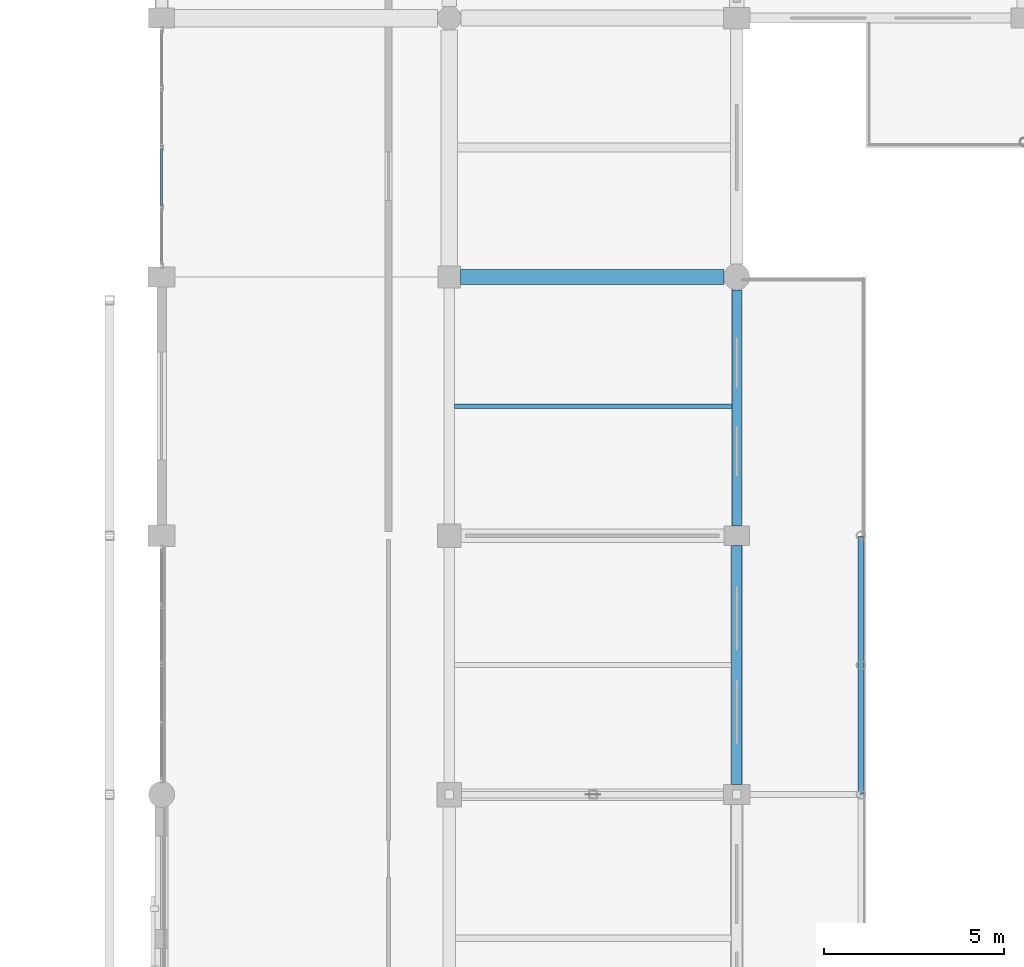
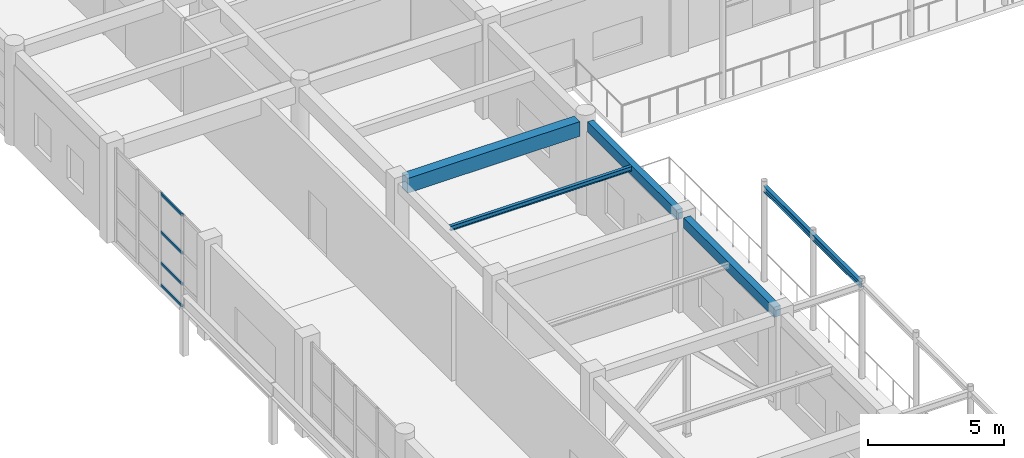
# One storey, part 70 of 160: 5 beams, 4 members, 1 element without a shape of its own.
"""IFC4 building model written with IfcOpenShell, lengths in metres."""

from ifc_helpers import new_model, si_unit, direction, frame, origin, origin_2d, place, context, subcontext, project, spatial, rectangle, hollow_rectangle, i_section, extrude, material, material_profile, profile_set, type_object, element, aggregate, save


model = new_model("IFC4")

# Units and contexts
model_context = context("Model", 3, precision=1e-05, world=origin(), true_north=direction((0.0, 1.0)))
body_context = subcontext(model_context, "Body", "Model", "MODEL_VIEW")
ifc_project = project(units=[si_unit("LENGTHUNIT", "METRE"), si_unit("AREAUNIT", "SQUARE_METRE"), si_unit("VOLUMEUNIT", "CUBIC_METRE"), si_unit("PLANEANGLEUNIT", "RADIAN"), si_unit("MASSUNIT", "GRAM", prefix="KILO")], contexts=[model_context])

# Site, building, storey
site_placement = place(None, origin())
site = spatial("IfcSite", under=ifc_project, at=site_placement, CompositionType="ELEMENT")
building_placement = place(site_placement, origin())
building = spatial("IfcBuilding", under=site, at=building_placement, Name="Kharva Crest Polytechnic", CompositionType="ELEMENT")
storey_placement = place(building_placement, frame((0.0, 0.0, 4.5)))
storey = spatial("IfcBuildingStorey", under=building, at=storey_placement, Name="L01", CompositionType="ELEMENT", Elevation=4.5)

# Beams
ifc_material_1 = material(Name="Concrete C35/45", Category="concrete")
ifc_material_profile_1 = material_profile(ifc_material_1, rectangle(XDim=0.419921875, YDim=0.659912109375, at=origin_2d()), Name="RECT 420 X 660")
ifc_profile_set_1 = profile_set([ifc_material_profile_1], Name="Concrete C35/45")
beam_type_1 = type_object("IfcBeamType", Name="BM-RC-420X660", PredefinedType="BEAM", material=ifc_profile_set_1)
beam_1_placement = place(storey_placement, frame((40.31005859375, 93.199951171875, 3.889892578125), z_axis=(1.0, 0.0, 0.0), x_axis=(0.0, 1.0, 0.0)))
element("IfcBeam", 1, at=beam_1_placement, inside=storey, type_object=beam_type_1, Name="L01 Beam N/6-7", PredefinedType="BEAM", context=body_context, shape_type="SweptSolid", body=[
    extrude(rectangle(XDim=0.419921875, YDim=0.659912109375, at=origin_2d()), origin(), (0.0, 0.0, 1.0), 7.329833984375),
])
ifc_material_2 = material(Name="Steel S355", Category="steel")
ifc_material_profile_2 = material_profile(ifc_material_2, i_section(OverallWidth=0.133056640625, OverallDepth=0.20703125, WebThickness=0.005859375, FlangeThickness=0.00830078125, at=origin_2d()), Name="W200X26.6")
ifc_profile_set_2 = profile_set([ifc_material_profile_2], Name="Steel S355")
beam_type_2 = type_object("IfcBeamType", Name="BM-STL-W200X26", PredefinedType="JOIST", material=ifc_profile_set_2)
beam_2_placement = place(storey_placement, frame((40.14990234375, 89.60009765625, 4.116455078125), z_axis=(1.0, 0.0, 0.0), x_axis=(0.0, 1.0, 0.0)))
element("IfcBeam", 2, at=beam_2_placement, inside=storey, type_object=beam_type_2, Name="L01 Floor Joist 6", PredefinedType="JOIST", context=body_context, shape_type="SweptSolid", body=[
    extrude(i_section(OverallWidth=0.133056640625, OverallDepth=0.20703125, WebThickness=0.005859375, FlangeThickness=0.00830078125, at=origin_2d()), origin(), (0.0, 0.0, 1.0), 7.72021484375),
])
ifc_material_profile_3 = material_profile(ifc_material_2, i_section(OverallWidth=0.14794921875, OverallDepth=0.26611328125, WebThickness=0.007568359375, FlangeThickness=0.012939453125, at=origin_2d()), Name="W250X44.8")
ifc_profile_set_3 = profile_set([ifc_material_profile_3], Name="Steel S355")
beam_type_3 = type_object("IfcBeamType", Name="BM-STL-W250X44", PredefinedType="SPANDREL", material=ifc_profile_set_3)
beam_3_placement = place(storey_placement, frame((51.449951171875, 78.820068359375, 4.156982421875), z_axis=(0.0, 1.0, 0.0), x_axis=(-1.0, 0.0, 0.0)))
element("IfcBeam", 3, at=beam_3_placement, inside=storey, type_object=beam_type_3, Name="L01 West Veranda Beam 5", PredefinedType="SPANDREL", context=body_context, shape_type="SweptSolid", body=[
    extrude(i_section(OverallWidth=0.14794921875, OverallDepth=0.26611328125, WebThickness=0.007568359375, FlangeThickness=0.012939453125, at=origin_2d()), origin(), (0.0, 0.0, 1.0), 7.159912109375),
])

# Curtain wall, members
ifc_material_3 = material(Name="Tempered insulated glass", Category="glass")
curtain_wall_type = type_object("IfcCurtainWallType", Name="CW-SYS-COURT", PredefinedType="USERDEFINED", material=ifc_material_3)
curtain_wall_placement = place(storey_placement, origin())
curtain_wall = element("IfcCurtainWall", 4, at=curtain_wall_placement, inside=storey, type_object=curtain_wall_type, Name="L01 Glazed Curtain Wall CW-079", ObjectType="CURTAIN WALL", PredefinedType="USERDEFINED")
ifc_material_profile_4 = material_profile(ifc_material_2, hollow_rectangle(XDim=0.06005859375, YDim=0.1201171875, WallThickness=0.00390625, at=origin_2d()), Name="RHS 120X60X4.0")
ifc_profile_set_4 = profile_set([ifc_material_profile_4], Name="Steel S355")
member_type = type_object("IfcMemberType", Name="CWT-RHS120X60", PredefinedType="USERDEFINED", material=ifc_profile_set_4)
member_1_placement = place(storey_placement, frame((32.0, 96.760009765625, 0.06005859375), z_axis=(0.0, -1.0, 0.0), x_axis=(1.0, 0.0, 0.0)))
member_1 = element("IfcMember", 5, at=member_1_placement, type_object=member_type, Name="CW-079 transom 3.1", ObjectType="TRANSOM", PredefinedType="USERDEFINED", context=body_context, shape_type="SweptSolid", body=[
    extrude(hollow_rectangle(XDim=0.06005859375, YDim=0.1201171875, WallThickness=0.00390625, at=origin_2d()), origin(), (0.0, 0.0, 1.0), 1.580078125),
])
member_2_placement = place(storey_placement, frame((32.0, 96.760009765625, 1.050048828125), z_axis=(0.0, -1.0, 0.0), x_axis=(1.0, 0.0, 0.0)))
member_2 = element("IfcMember", 6, at=member_2_placement, type_object=member_type, Name="CW-079 transom 3.2", ObjectType="TRANSOM", PredefinedType="USERDEFINED", context=body_context, shape_type="SweptSolid", body=[
    extrude(hollow_rectangle(XDim=0.06005859375, YDim=0.1201171875, WallThickness=0.00390625, at=origin_2d()), origin(), (0.0, 0.0, 1.0), 1.580078125),
])
member_3_placement = place(storey_placement, frame((32.0, 96.760009765625, 2.449951171875), z_axis=(0.0, -1.0, 0.0), x_axis=(1.0, 0.0, 0.0)))
member_3 = element("IfcMember", 7, at=member_3_placement, type_object=member_type, Name="CW-079 transom 3.3", ObjectType="TRANSOM", PredefinedType="USERDEFINED", context=body_context, shape_type="SweptSolid", body=[
    extrude(hollow_rectangle(XDim=0.06005859375, YDim=0.1201171875, WallThickness=0.00390625, at=origin_2d()), origin(), (0.0, 0.0, 1.0), 1.580078125),
])
member_4_placement = place(storey_placement, frame((32.0, 96.760009765625, 4.159912109375), z_axis=(0.0, -1.0, 0.0), x_axis=(1.0, 0.0, 0.0)))
member_4 = element("IfcMember", 8, at=member_4_placement, type_object=member_type, Name="CW-079 transom 3.4", ObjectType="TRANSOM", PredefinedType="USERDEFINED", context=body_context, shape_type="SweptSolid", body=[
    extrude(hollow_rectangle(XDim=0.06005859375, YDim=0.1201171875, WallThickness=0.00390625, at=origin_2d()), origin(), (0.0, 0.0, 1.0), 1.580078125),
])
aggregate(curtain_wall, [member_1, member_2, member_3, member_4])

# Beams
ifc_material_profile_5 = material_profile(ifc_material_1, rectangle(XDim=0.260009765625, YDim=0.43994140625, at=origin_2d()), Name="RECT 260 X 440")
ifc_profile_set_5 = profile_set([ifc_material_profile_5], Name="Concrete C35/45")
beam_type_4 = type_object("IfcBeamType", Name="SP-RC-260X440", PredefinedType="SPANDREL", material=ifc_profile_set_5)
beam_4_placement = place(storey_placement, frame((48.0, 86.27490234375, 4.0), z_axis=(0.0, 1.0, 0.0), x_axis=(-1.0, 0.0, 0.0)))
element("IfcBeam", 9, at=beam_4_placement, inside=storey, type_object=beam_type_4, Name="L01 Girder 7/M-N", PredefinedType="SPANDREL", context=body_context, shape_type="SweptSolid", body=[
    extrude(rectangle(XDim=0.260009765625, YDim=0.43994140625, at=origin_2d()), origin(), (0.0, 0.0, 1.0), 6.565185546875),
])
ifc_material_profile_6 = material_profile(ifc_material_1, rectangle(XDim=0.280029296875, YDim=0.4599609375, at=origin_2d()), Name="RECT 280 X 460")
ifc_profile_set_6 = profile_set([ifc_material_profile_6], Name="Concrete C35/45")
beam_type_5 = type_object("IfcBeamType", Name="SP-RC-280X460", PredefinedType="SPANDREL", material=ifc_profile_set_6)
beam_5_placement = place(storey_placement, frame((48.0, 79.074951171875, 3.989990234375), z_axis=(0.0, 1.0, 0.0), x_axis=(-1.0, 0.0, 0.0)))
element("IfcBeam", 10, at=beam_5_placement, inside=storey, type_object=beam_type_5, Name="L01 Girder 7/L-M", PredefinedType="SPANDREL", context=body_context, shape_type="SweptSolid", body=[
    extrude(rectangle(XDim=0.280029296875, YDim=0.4599609375, at=origin_2d()), origin(), (0.0, 0.0, 1.0), 6.650146484375),
])

save(model, "model.ifc")
